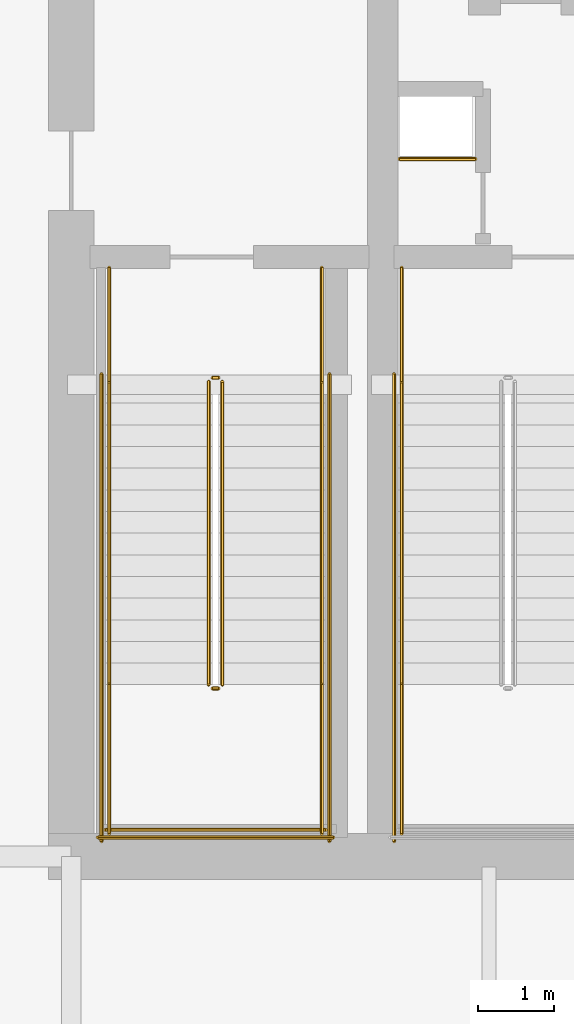
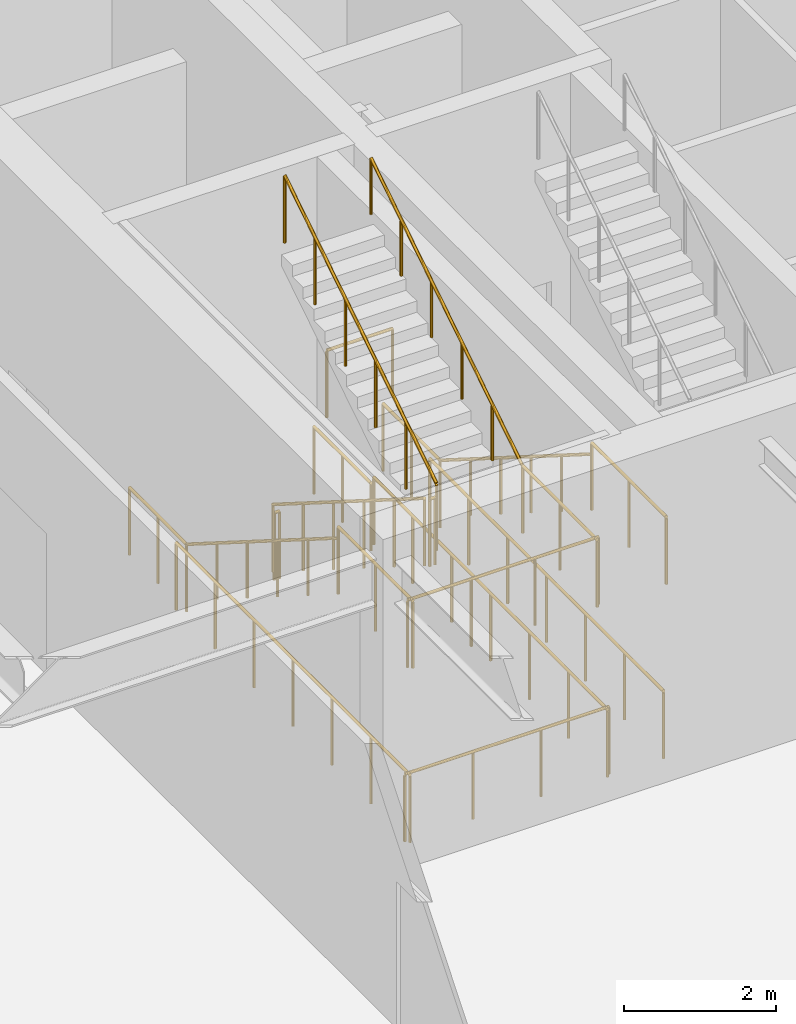
# One storey, part 11 of 16: 19 railings.
"""IFC4 building model written with IfcOpenShell, lengths in metres."""

import ifcopenshell
import ifcopenshell.guid

model = None  # the IFC model being written
_history = None  # IfcOwnerHistory: only IFC2X3 demands one
_inside = {}  # id of a spatial element -> (the spatial element, [elements in it])
_under = {}  # id of a project, library or spatial element -> (it, [spatial elements below it])
_declared = {}  # id of a project -> (the project, [libraries it declares])
_typed = {}  # id of a type object -> (the type object, [elements of that type])
_made_of = {}  # id of a material, layer set ... -> (it, [elements and type objects made of it])


def new_model(schema):
    """Start an empty IFC model of exactly this schema.

    Asked for "IFC4X3", IfcOpenShell would pick the latest addendum, in which some entities
    have other attributes; the version numbers below select the first issue.
    IFC2X3 requires an IfcOwnerHistory on every rooted entity: one is made here for all.
    """
    global model, _history
    if schema == "IFC4X3":
        model = ifcopenshell.file(schema_version=(4, 3, 0, 0))
    else:
        model = ifcopenshell.file(schema=schema)
    _inside.clear()
    _under.clear()
    _declared.clear()
    _typed.clear()
    _made_of.clear()
    _history = None
    if model.schema == "IFC2X3":
        org = make("IfcOrganization", Name="unknown")
        user = make(
            "IfcPersonAndOrganization",
            ThePerson=make("IfcPerson", FamilyName="unknown"),
            TheOrganization=org,
        )
        app = make(
            "IfcApplication",
            ApplicationDeveloper=org,
            Version="unknown",
            ApplicationFullName="unknown",
            ApplicationIdentifier="unknown",
        )
        _history = make(
            "IfcOwnerHistory",
            OwningUser=user,
            OwningApplication=app,
            ChangeAction="ADDED",
            CreationDate=0,
        )
    return model


def make(cls, **values):
    """One entity of the class cls with the attributes given. An attribute that is None is left unset."""
    return model.create_entity(
        cls, **{name: value for name, value in values.items() if value is not None}
    )


def rooted(cls, **values):
    """An entity with a GlobalId (a new one), such as an element, a storey or a relation."""
    return make(cls, GlobalId=ifcopenshell.guid.new(), OwnerHistory=_history, **values)


def si_unit(unit_type, name, prefix=None):
    """IfcSIUnit, for example si_unit("LENGTHUNIT", "METRE", prefix="MILLI")."""
    return make("IfcSIUnit", UnitType=unit_type, Prefix=prefix, Name=name)


def assignment(units):
    """IfcUnitAssignment: the units of a project."""
    return None if units is None else make("IfcUnitAssignment", Units=units)


def point(xyz):
    """IfcCartesianPoint."""
    return None if xyz is None else make("IfcCartesianPoint", Coordinates=xyz)


def direction(xyz):
    """IfcDirection."""
    return None if xyz is None else make("IfcDirection", DirectionRatios=xyz)


def frame(location, z_axis=None, x_axis=None):
    """IfcAxis2Placement3D, a coordinate frame: its origin and axes. An axis left out is left unset."""
    return make(
        "IfcAxis2Placement3D",
        Location=point(location),
        Axis=direction(z_axis),
        RefDirection=direction(x_axis),
    )


def frame_2d(location, x_axis=None):
    """IfcAxis2Placement2D, a coordinate frame in the plane: its origin and x axis."""
    return make(
        "IfcAxis2Placement2D", Location=point(location), RefDirection=direction(x_axis)
    )


def origin():
    """The frame at (0, 0, 0) with its axes left unset."""
    return frame((0.0, 0.0, 0.0))


def origin_2d():
    """The frame at (0, 0) in the plane with its x axis left unset."""
    return frame_2d((0.0, 0.0))


def place(relative_to, where):
    """IfcLocalPlacement: puts the frame where relative to a parent placement (None: the world)."""
    return make(
        "IfcLocalPlacement", PlacementRelTo=relative_to, RelativePlacement=where
    )


def context(
    kind, dimensions, precision=None, world=None, true_north=None, identifier=None
):
    """IfcGeometricRepresentationContext, for example the 3D "Model" context."""
    return make(
        "IfcGeometricRepresentationContext",
        ContextIdentifier=identifier,
        ContextType=kind,
        CoordinateSpaceDimension=dimensions,
        Precision=precision,
        WorldCoordinateSystem=world,
        TrueNorth=true_north,
    )


def subcontext(parent, identifier, kind, view, scale=None):
    """IfcGeometricRepresentationSubContext, for example "Body" below "Model"."""
    return make(
        "IfcGeometricRepresentationSubContext",
        ContextIdentifier=identifier,
        ContextType=kind,
        ParentContext=parent,
        TargetScale=scale,
        TargetView=view,
    )


def project(units=None, contexts=None):
    """IfcProject with its units and contexts."""
    return rooted(
        "IfcProject",
        Name="project",
        RepresentationContexts=contexts,
        UnitsInContext=assignment(units),
    )


def spatial(cls, under=None, at=None, **own):
    """A site, building, storey or space (cls), placed at a placement, below another one or the project."""
    s = rooted(cls, ObjectPlacement=at, **own)
    if under is not None:
        _under.setdefault(under.id(), (under, []))[1].append(s)
    return s


def profile(cls, at=None, kind="AREA", **sizes):
    """A parametric profile (cls). Its sizes go by their IFC names, for example OverallWidth=200.0."""
    return make(cls, ProfileType=kind, Position=at, **sizes)


def circle(**sizes):
    """IfcCircleProfileDef."""
    return profile("IfcCircleProfileDef", **sizes)


def extrude(swept, where, along, depth):
    """IfcExtrudedAreaSolid: the profile swept, set in the frame where, extruded along a direction by depth."""
    return make(
        "IfcExtrudedAreaSolid",
        SweptArea=swept,
        Position=where,
        ExtrudedDirection=direction(along),
        Depth=depth,
    )


def shape(context_of_items, identifier, shape_type, items):
    """IfcShapeRepresentation: the items that make up one representation, for example the "Body"."""
    return make(
        "IfcShapeRepresentation",
        ContextOfItems=context_of_items,
        RepresentationIdentifier=identifier,
        RepresentationType=shape_type,
        Items=items,
    )


def material(Name=None, Category=None):
    """IfcMaterial."""
    return make("IfcMaterial", Name=Name, Category=Category)


def made_of(thing, what):
    """Note that an element or type object is made of a material, layer set ...; save() writes the relation."""
    if what is not None:
        _made_of.setdefault(what.id(), (what, []))[1].append(thing)
    return thing


def type_object(cls, material=None, **own):
    """A type object (cls), such as IfcWallType, which elements share."""
    return made_of(rooted(cls, **own), material)


def element(
    cls,
    number,
    at=None,
    inside=None,
    cuts=None,
    type_object=None,
    material=None,
    context=None,
    identifier="Body",
    shape_type=None,
    held_by="IfcProductDefinitionShape",
    body=None,
    shapes=None,
    **own,
):
    """One element of the class cls, such as IfcWall. Its Tag is "e" and its number.

    at: its placement. inside: the storey or other place that contains it. cuts: it is an
    opening in that element (IfcRelVoidsElement). A single representation is given by context,
    identifier, shape_type and body (its items); several are given by shapes. held_by: the class
    of the entity that holds the representations. save() writes the other relations.
    """
    e = rooted(cls, Tag="e%d" % number, ObjectPlacement=at, **own)
    if body is not None:
        shapes = [shape(context, identifier, shape_type, body)]
    if shapes is not None:
        e.Representation = make(held_by, Representations=shapes)
    if inside is not None:
        _inside.setdefault(inside.id(), (inside, []))[1].append(e)
    if cuts is not None:
        rooted(
            "IfcRelVoidsElement", RelatingBuildingElement=cuts, RelatedOpeningElement=e
        )
    if type_object is not None:
        _typed.setdefault(type_object.id(), (type_object, []))[1].append(e)
    return made_of(e, material)


def aggregate(whole, parts):
    """IfcRelAggregates: a whole, such as a stair, and the parts it consists of."""
    return rooted("IfcRelAggregates", RelatingObject=whole, RelatedObjects=parts)


def save(model, path):
    """Write the relations noted so far, then the file.

    IfcRelAggregates (storeys below a building ...), IfcRelContainedInSpatialStructure (elements
    in a storey), IfcRelDefinesByType, IfcRelAssociatesMaterial and IfcRelDeclares: one each for
    every whole, place, type object, material and project.
    """
    for whole, parts in _under.values():
        aggregate(whole, parts)
    for where, things in _inside.values():
        rooted(
            "IfcRelContainedInSpatialStructure",
            RelatedElements=things,
            RelatingStructure=where,
        )
    for kind, things in _typed.values():
        rooted("IfcRelDefinesByType", RelatedObjects=things, RelatingType=kind)
    for what, things in _made_of.values():
        rooted("IfcRelAssociatesMaterial", RelatedObjects=things, RelatingMaterial=what)
    for by, libraries in _declared.values():
        rooted("IfcRelDeclares", RelatingContext=by, RelatedDefinitions=libraries)
    model.write(path)


model = new_model("IFC4")

# Units and contexts
model_context = context("Model", 3, precision=1e-05, world=origin(), true_north=direction((0.0, 1.0)))
body_context = subcontext(model_context, "Body", "Model", "MODEL_VIEW")
ifc_project = project(units=[si_unit("LENGTHUNIT", "METRE"), si_unit("AREAUNIT", "SQUARE_METRE"), si_unit("VOLUMEUNIT", "CUBIC_METRE"), si_unit("PLANEANGLEUNIT", "RADIAN"), si_unit("MASSUNIT", "GRAM", prefix="KILO")], contexts=[model_context])

# Site, building, storey
site_placement = place(None, origin())
site = spatial("IfcSite", under=ifc_project, at=site_placement, CompositionType="ELEMENT")
building_placement = place(site_placement, origin())
building = spatial("IfcBuilding", under=site, at=building_placement, Name="Bramvorn Convention Spire", CompositionType="ELEMENT")
storey_placement = place(building_placement, frame((0.0, 0.0, 30.0)))
storey = spatial("IfcBuildingStorey", under=building, at=storey_placement, Name="L05", CompositionType="ELEMENT", Elevation=30.0)

# Railings
ifc_material_1 = material(Name="Painted Steel Balustrade & Guardrail", Category="steel")
railing_type_1 = type_object("IfcRailingType", Name="RL-STAIR-GUARD-1100", PredefinedType="GUARDRAIL", material=ifc_material_1)
railing_1_placement = place(storey_placement, frame((28.81005859375, 25.050048828125, 0.179931640625)))
element("IfcRailing", 1, at=railing_1_placement, inside=storey, type_object=railing_type_1, Name="L05 ST1 stair guard 1", PredefinedType="GUARDRAIL", context=body_context, shape_type="SweptSolid", body=[
    extrude(circle(Radius=0.02392578125, at=origin_2d()), frame((0.0, 0.0, 1.076171875), z_axis=(0.0, -0.845486444383, 0.533996884227), x_axis=(1.0, 0.0, 0.0)), (0.0, 0.0, 1.0), 4.71923828125),
    extrude(circle(Radius=0.02099609375, at=origin_2d()), origin(), (0.0, 0.0, 1.0), 1.052001953125),
    extrude(circle(Radius=0.02099609375, at=origin_2d()), frame((0.0, -0.798095703125, 0.50390625)), (0.0, 0.0, 1.0), 1.052001953125),
    extrude(circle(Radius=0.02099609375, at=origin_2d()), frame((0.0, -1.595947265625, 1.008056640625)), (0.0, 0.0, 1.0), 1.052001953125),
    extrude(circle(Radius=0.02099609375, at=origin_2d()), frame((0.0, -2.39404296875, 1.511962890625)), (0.0, 0.0, 1.0), 1.052001953125),
    extrude(circle(Radius=0.02099609375, at=origin_2d()), frame((0.0, -3.19189453125, 2.01611328125)), (0.0, 0.0, 1.0), 1.052001953125),
    extrude(circle(Radius=0.02099609375, at=origin_2d()), frame((0.0, -3.989990234375, 2.52001953125)), (0.0, 0.0, 1.0), 1.052001953125),
])
railing_2_placement = place(storey_placement, frame((28.860107421875, 21.010009765625, 2.699951171875)))
element("IfcRailing", 2, at=railing_2_placement, inside=storey, type_object=railing_type_1, Name="L05 ST1 stair guard 2", PredefinedType="GUARDRAIL", context=body_context, shape_type="SweptSolid", body=[
    extrude(circle(Radius=0.02392578125, at=origin_2d()), frame((0.0, 0.0, 1.076171875), z_axis=(1.0, 0.0, 0.0), x_axis=(0.0, 1.0, 0.0)), (0.0, 0.0, 1.0), 0.079833984375),
    extrude(circle(Radius=0.02099609375, at=origin_2d()), origin(), (0.0, 0.0, 1.0), 1.052001953125),
    extrude(circle(Radius=0.02099609375, at=origin_2d()), frame((0.079833984375, 0.0, 0.0)), (0.0, 0.0, 1.0), 1.052001953125),
])
for number, where, name in (
    (3, (27.5, 21.06005859375, 2.699951171875), "L05 ST1 stair guard 3"),
    (4, (30.300048828125, 21.06005859375, 2.699951171875), "L05 ST1 stair guard 4"),
):
    element("IfcRailing", number, at=place(storey_placement, frame(where)), inside=storey, type_object=railing_type_1, Name=name, PredefinedType="GUARDRAIL", context=body_context, shape_type="SweptSolid", body=[
        extrude(circle(Radius=0.02392578125, at=origin_2d()), frame((0.0, 0.0, 1.076171875), z_axis=(0.0, -1.0, 0.0), x_axis=(1.0, 0.0, 0.0)), (0.0, 0.0, 1.0), 1.9599609375),
        extrude(circle(Radius=0.02099609375, at=origin_2d()), origin(), (0.0, 0.0, 1.0), 1.052001953125),
        extrude(circle(Radius=0.02099609375, at=origin_2d()), frame((0.0, -0.97998046875, 0.0)), (0.0, 0.0, 1.0), 1.052001953125),
        extrude(circle(Radius=0.02099609375, at=origin_2d()), frame((0.0, -1.9599609375, 0.0)), (0.0, 0.0, 1.0), 1.052001953125),
    ])
railing_3_placement = place(storey_placement, frame((27.449951171875, 19.14990234375, 2.699951171875)))
element("IfcRailing", 5, at=railing_3_placement, inside=storey, type_object=railing_type_1, Name="L05 ST1 stair guard 5", PredefinedType="GUARDRAIL", context=body_context, shape_type="SweptSolid", body=[
    extrude(circle(Radius=0.02392578125, at=origin_2d()), frame((0.0, 0.0, 1.076171875), z_axis=(1.0, 0.0, 0.0), x_axis=(0.0, 1.0, 0.0)), (0.0, 0.0, 1.0), 2.900146484375),
    extrude(circle(Radius=0.02099609375, at=origin_2d()), origin(), (0.0, 0.0, 1.0), 1.052001953125),
    extrude(circle(Radius=0.02099609375, at=origin_2d()), frame((0.966796875, 0.0, 0.0)), (0.0, 0.0, 1.0), 1.052001953125),
    extrude(circle(Radius=0.02099609375, at=origin_2d()), frame((1.933349609375, 0.0, 0.0)), (0.0, 0.0, 1.0), 1.052001953125),
    extrude(circle(Radius=0.02099609375, at=origin_2d()), frame((2.900146484375, 0.0, 0.0)), (0.0, 0.0, 1.0), 1.052001953125),
])
railing_4_placement = place(storey_placement, frame((28.989990234375, 21.06005859375, 2.8798828125)))
element("IfcRailing", 6, at=railing_4_placement, inside=storey, type_object=railing_type_1, Name="L05 ST1 stair guard 6", PredefinedType="GUARDRAIL", context=body_context, shape_type="SweptSolid", body=[
    extrude(circle(Radius=0.02392578125, at=origin_2d()), frame((0.0, 0.0, 1.076171875), z_axis=(0.0, 0.845486444383, 0.533996884227), x_axis=(-1.0, 0.0, 0.0)), (0.0, 0.0, 1.0), 4.71923828125),
    extrude(circle(Radius=0.02099609375, at=origin_2d()), origin(), (0.0, 0.0, 1.0), 1.052001953125),
    extrude(circle(Radius=0.02099609375, at=origin_2d()), frame((0.0, 0.798095703125, 0.50390625)), (0.0, 0.0, 1.0), 1.052001953125),
    extrude(circle(Radius=0.02099609375, at=origin_2d()), frame((0.0, 1.595947265625, 1.008056640625)), (0.0, 0.0, 1.0), 1.052001953125),
    extrude(circle(Radius=0.02099609375, at=origin_2d()), frame((0.0, 2.39404296875, 1.511962890625)), (0.0, 0.0, 1.0), 1.052001953125),
    extrude(circle(Radius=0.02099609375, at=origin_2d()), frame((0.0, 3.19189453125, 2.01611328125)), (0.0, 0.0, 1.0), 1.052001953125),
    extrude(circle(Radius=0.02099609375, at=origin_2d()), frame((0.0, 3.989990234375, 2.52001953125)), (0.0, 0.0, 1.0), 1.052001953125),
])
railing_5_placement = place(storey_placement, frame((28.860107421875, 25.10009765625, 0.0)))
element("IfcRailing", 7, at=railing_5_placement, inside=storey, type_object=railing_type_1, Name="L05 ST1 stair guard 7", PredefinedType="GUARDRAIL", context=body_context, shape_type="SweptSolid", body=[
    extrude(circle(Radius=0.02392578125, at=origin_2d()), frame((0.0, 0.0, 1.076171875), z_axis=(1.0, 0.0, 0.0), x_axis=(0.0, 1.0, 0.0)), (0.0, 0.0, 1.0), 0.079833984375),
    extrude(circle(Radius=0.02099609375, at=origin_2d()), origin(), (0.0, 0.0, 1.0), 1.052001953125),
    extrude(circle(Radius=0.02099609375, at=origin_2d()), frame((0.079833984375, 0.0, 0.0)), (0.0, 0.0, 1.0), 1.052001953125),
])
for number, where, name in (
    (8, (27.5, 26.550048828125, 0.0), "L05 ST1 stair guard 8"),
    (9, (30.300048828125, 26.550048828125, 0.0), "L05 ST1 stair guard 9"),
):
    element("IfcRailing", number, at=place(storey_placement, frame(where)), inside=storey, type_object=railing_type_1, Name=name, PredefinedType="GUARDRAIL", context=body_context, shape_type="SweptSolid", body=[
        extrude(circle(Radius=0.02392578125, at=origin_2d()), frame((0.0, 0.0, 1.076171875), z_axis=(0.0, -1.0, 0.0), x_axis=(1.0, 0.0, 0.0)), (0.0, 0.0, 1.0), 1.5),
        extrude(circle(Radius=0.02099609375, at=origin_2d()), origin(), (0.0, 0.0, 1.0), 1.052001953125),
        extrude(circle(Radius=0.02099609375, at=origin_2d()), frame((0.0, -0.75, 0.0)), (0.0, 0.0, 1.0), 1.052001953125),
        extrude(circle(Radius=0.02099609375, at=origin_2d()), frame((0.0, -1.5, 0.0)), (0.0, 0.0, 1.0), 1.052001953125),
    ])
for number, where, name in (
    (10, (27.39990234375, 25.14990234375, 0.0), "L05 ST1 stair guard 10"),
    (11, (30.39990234375, 25.14990234375, 0.0), "L05 ST1 stair guard 11"),
):
    element("IfcRailing", number, at=place(storey_placement, frame(where)), inside=storey, type_object=railing_type_1, Name=name, PredefinedType="GUARDRAIL", context=body_context, shape_type="SweptSolid", body=[
        extrude(circle(Radius=0.02392578125, at=origin_2d()), frame((0.0, 0.0, 1.076171875), z_axis=(0.0, -1.0, 0.0), x_axis=(1.0, 0.0, 0.0)), (0.0, 0.0, 1.0), 6.14990234375),
        extrude(circle(Radius=0.02099609375, at=origin_2d()), origin(), (0.0, 0.0, 1.0), 1.052001953125),
        extrude(circle(Radius=0.02099609375, at=origin_2d()), frame((0.0, -1.02490234375, 0.0)), (0.0, 0.0, 1.0), 1.052001953125),
        extrude(circle(Radius=0.02099609375, at=origin_2d()), frame((0.0, -2.050048828125, 0.0)), (0.0, 0.0, 1.0), 1.052001953125),
        extrude(circle(Radius=0.02099609375, at=origin_2d()), frame((0.0, -3.074951171875, 0.0)), (0.0, 0.0, 1.0), 1.052001953125),
        extrude(circle(Radius=0.02099609375, at=origin_2d()), frame((0.0, -4.099853515625, 0.0)), (0.0, 0.0, 1.0), 1.052001953125),
        extrude(circle(Radius=0.02099609375, at=origin_2d()), frame((0.0, -5.125, 0.0)), (0.0, 0.0, 1.0), 1.052001953125),
        extrude(circle(Radius=0.02099609375, at=origin_2d()), frame((0.0, -6.14990234375, 0.0)), (0.0, 0.0, 1.0), 1.052001953125),
    ])
railing_6_placement = place(storey_placement, frame((27.35009765625, 19.050048828125, 0.0)))
element("IfcRailing", 12, at=railing_6_placement, inside=storey, type_object=railing_type_1, Name="L05 ST1 stair guard 12", PredefinedType="GUARDRAIL", context=body_context, shape_type="SweptSolid", body=[
    extrude(circle(Radius=0.02392578125, at=origin_2d()), frame((0.0, 0.0, 1.076171875), z_axis=(1.0, 0.0, 0.0), x_axis=(0.0, 1.0, 0.0)), (0.0, 0.0, 1.0), 3.099853515625),
    extrude(circle(Radius=0.02099609375, at=origin_2d()), origin(), (0.0, 0.0, 1.0), 1.052001953125),
    extrude(circle(Radius=0.02099609375, at=origin_2d()), frame((1.033203125, 0.0, 0.0)), (0.0, 0.0, 1.0), 1.052001953125),
    extrude(circle(Radius=0.02099609375, at=origin_2d()), frame((2.066650390625, 0.0, 0.0)), (0.0, 0.0, 1.0), 1.052001953125),
    extrude(circle(Radius=0.02099609375, at=origin_2d()), frame((3.099853515625, 0.0, 0.0)), (0.0, 0.0, 1.0), 1.052001953125),
])
railing_7_placement = place(storey_placement, frame((31.35009765625, 21.06005859375, 2.699951171875)))
element("IfcRailing", 13, at=railing_7_placement, inside=storey, type_object=railing_type_1, Name="L05 ST3 stair guard 3", PredefinedType="GUARDRAIL", context=body_context, shape_type="SweptSolid", body=[
    extrude(circle(Radius=0.02392578125, at=origin_2d()), frame((0.0, 0.0, 1.076171875), z_axis=(0.0, -1.0, 0.0), x_axis=(1.0, 0.0, 0.0)), (0.0, 0.0, 1.0), 1.9599609375),
    extrude(circle(Radius=0.02099609375, at=origin_2d()), origin(), (0.0, 0.0, 1.0), 1.052001953125),
    extrude(circle(Radius=0.02099609375, at=origin_2d()), frame((0.0, -0.97998046875, 0.0)), (0.0, 0.0, 1.0), 1.052001953125),
    extrude(circle(Radius=0.02099609375, at=origin_2d()), frame((0.0, -1.9599609375, 0.0)), (0.0, 0.0, 1.0), 1.052001953125),
])
railing_8_placement = place(storey_placement, frame((31.35009765625, 26.550048828125, 0.0)))
element("IfcRailing", 14, at=railing_8_placement, inside=storey, type_object=railing_type_1, Name="L05 ST3 stair guard 8", PredefinedType="GUARDRAIL", context=body_context, shape_type="SweptSolid", body=[
    extrude(circle(Radius=0.02392578125, at=origin_2d()), frame((0.0, 0.0, 1.076171875), z_axis=(0.0, -1.0, 0.0), x_axis=(1.0, 0.0, 0.0)), (0.0, 0.0, 1.0), 1.5),
    extrude(circle(Radius=0.02099609375, at=origin_2d()), origin(), (0.0, 0.0, 1.0), 1.052001953125),
    extrude(circle(Radius=0.02099609375, at=origin_2d()), frame((0.0, -0.75, 0.0)), (0.0, 0.0, 1.0), 1.052001953125),
    extrude(circle(Radius=0.02099609375, at=origin_2d()), frame((0.0, -1.5, 0.0)), (0.0, 0.0, 1.0), 1.052001953125),
])
railing_9_placement = place(storey_placement, frame((31.25, 25.14990234375, 0.0)))
element("IfcRailing", 15, at=railing_9_placement, inside=storey, type_object=railing_type_1, Name="L05 ST3 stair guard 10", PredefinedType="GUARDRAIL", context=body_context, shape_type="SweptSolid", body=[
    extrude(circle(Radius=0.02392578125, at=origin_2d()), frame((0.0, 0.0, 1.076171875), z_axis=(0.0, -1.0, 0.0), x_axis=(1.0, 0.0, 0.0)), (0.0, 0.0, 1.0), 6.14990234375),
    extrude(circle(Radius=0.02099609375, at=origin_2d()), origin(), (0.0, 0.0, 1.0), 1.052001953125),
    extrude(circle(Radius=0.02099609375, at=origin_2d()), frame((0.0, -1.02490234375, 0.0)), (0.0, 0.0, 1.0), 1.052001953125),
    extrude(circle(Radius=0.02099609375, at=origin_2d()), frame((0.0, -2.050048828125, 0.0)), (0.0, 0.0, 1.0), 1.052001953125),
    extrude(circle(Radius=0.02099609375, at=origin_2d()), frame((0.0, -3.074951171875, 0.0)), (0.0, 0.0, 1.0), 1.052001953125),
    extrude(circle(Radius=0.02099609375, at=origin_2d()), frame((0.0, -4.099853515625, 0.0)), (0.0, 0.0, 1.0), 1.052001953125),
    extrude(circle(Radius=0.02099609375, at=origin_2d()), frame((0.0, -5.125, 0.0)), (0.0, 0.0, 1.0), 1.052001953125),
    extrude(circle(Radius=0.02099609375, at=origin_2d()), frame((0.0, -6.14990234375, 0.0)), (0.0, 0.0, 1.0), 1.052001953125),
])
railing_10_placement = place(storey_placement, frame((31.320068359375, 27.97998046875, 0.0)))
element("IfcRailing", 16, at=railing_10_placement, inside=storey, type_object=railing_type_1, Name="L05 Telecom riser shaft opening safety guardrail", PredefinedType="GUARDRAIL", context=body_context, shape_type="SweptSolid", body=[
    extrude(circle(Radius=0.02392578125, at=origin_2d()), frame((0.0, 0.0, 1.076171875), z_axis=(1.0, 0.0, 0.0), x_axis=(0.0, 1.0, 0.0)), (0.0, 0.0, 1.0), 1.0),
    extrude(circle(Radius=0.02099609375, at=origin_2d()), origin(), (0.0, 0.0, 1.0), 1.052001953125),
    extrude(circle(Radius=0.02099609375, at=origin_2d()), frame((1.0, 0.0, 0.0)), (0.0, 0.0, 1.0), 1.052001953125),
])
ifc_material_2 = material(Name="Brushed Bronze Tubular Handrail", Category="aluminium")
railing_type_2 = type_object("IfcRailingType", Name="RL-STAIR-HR-920", PredefinedType="HANDRAIL", material=ifc_material_2)
railing_11_placement = place(storey_placement, frame((27.5, 25.050048828125, 0.179931640625)))
element("IfcRailing", 17, at=railing_11_placement, inside=storey, type_object=railing_type_2, Name="L05 ST1 stair handrail 1", PredefinedType="HANDRAIL", context=body_context, shape_type="SweptSolid", body=[
    extrude(circle(Radius=0.02392578125, at=origin_2d()), frame((0.0, 0.0, 0.89599609375), z_axis=(0.0, -0.845486444383, 0.533996884227), x_axis=(1.0, 0.0, 0.0)), (0.0, 0.0, 1.0), 4.71923828125),
    extrude(circle(Radius=0.02099609375, at=origin_2d()), origin(), (0.0, 0.0, 1.0), 0.871826171875),
    extrude(circle(Radius=0.02099609375, at=origin_2d()), frame((0.0, -0.798095703125, 0.50390625)), (0.0, 0.0, 1.0), 0.871826171875),
    extrude(circle(Radius=0.02099609375, at=origin_2d()), frame((0.0, -1.595947265625, 1.008056640625)), (0.0, 0.0, 1.0), 0.871826171875),
    extrude(circle(Radius=0.02099609375, at=origin_2d()), frame((0.0, -2.39404296875, 1.511962890625)), (0.0, 0.0, 1.0), 0.871826171875),
    extrude(circle(Radius=0.02099609375, at=origin_2d()), frame((0.0, -3.19189453125, 2.01611328125)), (0.0, 0.0, 1.0), 0.871826171875),
    extrude(circle(Radius=0.02099609375, at=origin_2d()), frame((0.0, -3.989990234375, 2.52001953125)), (0.0, 0.0, 1.0), 0.871826171875),
])
railing_12_placement = place(storey_placement, frame((30.300048828125, 21.06005859375, 2.8798828125)))
element("IfcRailing", 18, at=railing_12_placement, inside=storey, type_object=railing_type_2, Name="L05 ST1 stair handrail 2", PredefinedType="HANDRAIL", context=body_context, shape_type="SweptSolid", body=[
    extrude(circle(Radius=0.02392578125, at=origin_2d()), frame((0.0, 0.0, 0.89599609375), z_axis=(0.0, 0.845486444383, 0.533996884227), x_axis=(-1.0, 0.0, 0.0)), (0.0, 0.0, 1.0), 4.71923828125),
    extrude(circle(Radius=0.02099609375, at=origin_2d()), origin(), (0.0, 0.0, 1.0), 0.871826171875),
    extrude(circle(Radius=0.02099609375, at=origin_2d()), frame((0.0, 0.798095703125, 0.50390625)), (0.0, 0.0, 1.0), 0.871826171875),
    extrude(circle(Radius=0.02099609375, at=origin_2d()), frame((0.0, 1.595947265625, 1.008056640625)), (0.0, 0.0, 1.0), 0.871826171875),
    extrude(circle(Radius=0.02099609375, at=origin_2d()), frame((0.0, 2.39404296875, 1.511962890625)), (0.0, 0.0, 1.0), 0.871826171875),
    extrude(circle(Radius=0.02099609375, at=origin_2d()), frame((0.0, 3.19189453125, 2.01611328125)), (0.0, 0.0, 1.0), 0.871826171875),
    extrude(circle(Radius=0.02099609375, at=origin_2d()), frame((0.0, 3.989990234375, 2.52001953125)), (0.0, 0.0, 1.0), 0.871826171875),
])
railing_13_placement = place(storey_placement, frame((31.35009765625, 25.050048828125, 0.179931640625)))
element("IfcRailing", 19, at=railing_13_placement, inside=storey, type_object=railing_type_2, Name="L05 ST3 stair handrail 1", PredefinedType="HANDRAIL", context=body_context, shape_type="SweptSolid", body=[
    extrude(circle(Radius=0.02392578125, at=origin_2d()), frame((0.0, 0.0, 0.89599609375), z_axis=(0.0, -0.845486444383, 0.533996884227), x_axis=(1.0, 0.0, 0.0)), (0.0, 0.0, 1.0), 4.71923828125),
    extrude(circle(Radius=0.02099609375, at=origin_2d()), origin(), (0.0, 0.0, 1.0), 0.871826171875),
    extrude(circle(Radius=0.02099609375, at=origin_2d()), frame((0.0, -0.798095703125, 0.50390625)), (0.0, 0.0, 1.0), 0.871826171875),
    extrude(circle(Radius=0.02099609375, at=origin_2d()), frame((0.0, -1.595947265625, 1.008056640625)), (0.0, 0.0, 1.0), 0.871826171875),
    extrude(circle(Radius=0.02099609375, at=origin_2d()), frame((0.0, -2.39404296875, 1.511962890625)), (0.0, 0.0, 1.0), 0.871826171875),
    extrude(circle(Radius=0.02099609375, at=origin_2d()), frame((0.0, -3.19189453125, 2.01611328125)), (0.0, 0.0, 1.0), 0.871826171875),
    extrude(circle(Radius=0.02099609375, at=origin_2d()), frame((0.0, -3.989990234375, 2.52001953125)), (0.0, 0.0, 1.0), 0.871826171875),
])

save(model, "model.ifc")
